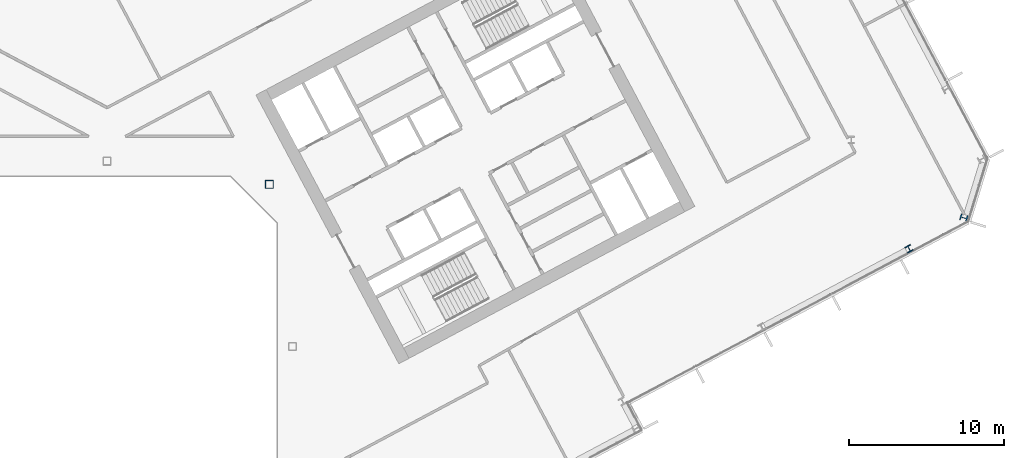
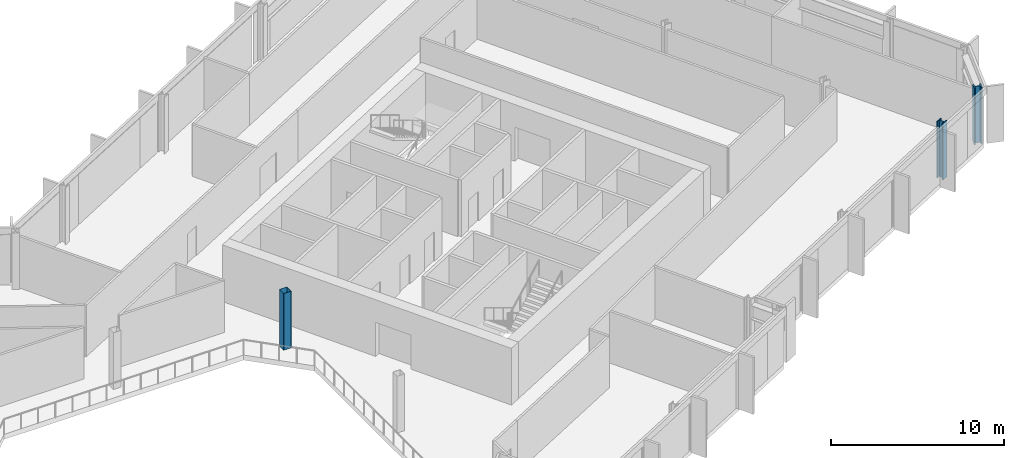
# One storey, part 6 of 28: 3 columns.
"""IFC4 building model written with IfcOpenShell, lengths in metres."""

import ifcopenshell
import ifcopenshell.guid

model = None  # the IFC model being written
_history = None  # IfcOwnerHistory: only IFC2X3 demands one
_inside = {}  # id of a spatial element -> (the spatial element, [elements in it])
_under = {}  # id of a project, library or spatial element -> (it, [spatial elements below it])
_declared = {}  # id of a project -> (the project, [libraries it declares])
_typed = {}  # id of a type object -> (the type object, [elements of that type])
_made_of = {}  # id of a material, layer set ... -> (it, [elements and type objects made of it])


def new_model(schema):
    """Start an empty IFC model of exactly this schema.

    Asked for "IFC4X3", IfcOpenShell would pick the latest addendum, in which some entities
    have other attributes; the version numbers below select the first issue.
    IFC2X3 requires an IfcOwnerHistory on every rooted entity: one is made here for all.
    """
    global model, _history
    if schema == "IFC4X3":
        model = ifcopenshell.file(schema_version=(4, 3, 0, 0))
    else:
        model = ifcopenshell.file(schema=schema)
    _inside.clear()
    _under.clear()
    _declared.clear()
    _typed.clear()
    _made_of.clear()
    _history = None
    if model.schema == "IFC2X3":
        org = make("IfcOrganization", Name="unknown")
        user = make(
            "IfcPersonAndOrganization",
            ThePerson=make("IfcPerson", FamilyName="unknown"),
            TheOrganization=org,
        )
        app = make(
            "IfcApplication",
            ApplicationDeveloper=org,
            Version="unknown",
            ApplicationFullName="unknown",
            ApplicationIdentifier="unknown",
        )
        _history = make(
            "IfcOwnerHistory",
            OwningUser=user,
            OwningApplication=app,
            ChangeAction="ADDED",
            CreationDate=0,
        )
    return model


def make(cls, **values):
    """One entity of the class cls with the attributes given. An attribute that is None is left unset."""
    return model.create_entity(
        cls, **{name: value for name, value in values.items() if value is not None}
    )


def rooted(cls, **values):
    """An entity with a GlobalId (a new one), such as an element, a storey or a relation."""
    return make(cls, GlobalId=ifcopenshell.guid.new(), OwnerHistory=_history, **values)


def si_unit(unit_type, name, prefix=None):
    """IfcSIUnit, for example si_unit("LENGTHUNIT", "METRE", prefix="MILLI")."""
    return make("IfcSIUnit", UnitType=unit_type, Prefix=prefix, Name=name)


def assignment(units):
    """IfcUnitAssignment: the units of a project."""
    return None if units is None else make("IfcUnitAssignment", Units=units)


def point(xyz):
    """IfcCartesianPoint."""
    return None if xyz is None else make("IfcCartesianPoint", Coordinates=xyz)


def direction(xyz):
    """IfcDirection."""
    return None if xyz is None else make("IfcDirection", DirectionRatios=xyz)


def frame(location, z_axis=None, x_axis=None):
    """IfcAxis2Placement3D, a coordinate frame: its origin and axes. An axis left out is left unset."""
    return make(
        "IfcAxis2Placement3D",
        Location=point(location),
        Axis=direction(z_axis),
        RefDirection=direction(x_axis),
    )


def frame_2d(location, x_axis=None):
    """IfcAxis2Placement2D, a coordinate frame in the plane: its origin and x axis."""
    return make(
        "IfcAxis2Placement2D", Location=point(location), RefDirection=direction(x_axis)
    )


def origin():
    """The frame at (0, 0, 0) with its axes left unset."""
    return frame((0.0, 0.0, 0.0))


def origin_2d():
    """The frame at (0, 0) in the plane with its x axis left unset."""
    return frame_2d((0.0, 0.0))


def place(relative_to, where):
    """IfcLocalPlacement: puts the frame where relative to a parent placement (None: the world)."""
    return make(
        "IfcLocalPlacement", PlacementRelTo=relative_to, RelativePlacement=where
    )


def context(
    kind, dimensions, precision=None, world=None, true_north=None, identifier=None
):
    """IfcGeometricRepresentationContext, for example the 3D "Model" context."""
    return make(
        "IfcGeometricRepresentationContext",
        ContextIdentifier=identifier,
        ContextType=kind,
        CoordinateSpaceDimension=dimensions,
        Precision=precision,
        WorldCoordinateSystem=world,
        TrueNorth=true_north,
    )


def subcontext(parent, identifier, kind, view, scale=None):
    """IfcGeometricRepresentationSubContext, for example "Body" below "Model"."""
    return make(
        "IfcGeometricRepresentationSubContext",
        ContextIdentifier=identifier,
        ContextType=kind,
        ParentContext=parent,
        TargetScale=scale,
        TargetView=view,
    )


def project(units=None, contexts=None):
    """IfcProject with its units and contexts."""
    return rooted(
        "IfcProject",
        Name="project",
        RepresentationContexts=contexts,
        UnitsInContext=assignment(units),
    )


def spatial(cls, under=None, at=None, **own):
    """A site, building, storey or space (cls), placed at a placement, below another one or the project."""
    s = rooted(cls, ObjectPlacement=at, **own)
    if under is not None:
        _under.setdefault(under.id(), (under, []))[1].append(s)
    return s


def profile(cls, at=None, kind="AREA", **sizes):
    """A parametric profile (cls). Its sizes go by their IFC names, for example OverallWidth=200.0."""
    return make(cls, ProfileType=kind, Position=at, **sizes)


def hollow_rectangle(**sizes):
    """IfcRectangleHollowProfileDef."""
    return profile("IfcRectangleHollowProfileDef", **sizes)


def i_section(**sizes):
    """IfcIShapeProfileDef."""
    return profile("IfcIShapeProfileDef", **sizes)


def extrude(swept, where, along, depth):
    """IfcExtrudedAreaSolid: the profile swept, set in the frame where, extruded along a direction by depth."""
    return make(
        "IfcExtrudedAreaSolid",
        SweptArea=swept,
        Position=where,
        ExtrudedDirection=direction(along),
        Depth=depth,
    )


def shape(context_of_items, identifier, shape_type, items):
    """IfcShapeRepresentation: the items that make up one representation, for example the "Body"."""
    return make(
        "IfcShapeRepresentation",
        ContextOfItems=context_of_items,
        RepresentationIdentifier=identifier,
        RepresentationType=shape_type,
        Items=items,
    )


def material(Name=None, Category=None):
    """IfcMaterial."""
    return make("IfcMaterial", Name=Name, Category=Category)


def material_profile(
    of_material, cross_section, Name=None, Category=None, Priority=None
):
    """IfcMaterialProfile: a cross section and its material."""
    return make(
        "IfcMaterialProfile",
        Name=Name,
        Material=of_material,
        Profile=cross_section,
        Priority=Priority,
        Category=Category,
    )


def profile_set(profiles, Name=None, composite=None):
    """IfcMaterialProfileSet."""
    return make(
        "IfcMaterialProfileSet",
        Name=Name,
        MaterialProfiles=profiles,
        CompositeProfile=composite,
    )


def made_of(thing, what):
    """Note that an element or type object is made of a material, layer set ...; save() writes the relation."""
    if what is not None:
        _made_of.setdefault(what.id(), (what, []))[1].append(thing)
    return thing


def type_object(cls, material=None, **own):
    """A type object (cls), such as IfcWallType, which elements share."""
    return made_of(rooted(cls, **own), material)


def element(
    cls,
    number,
    at=None,
    inside=None,
    cuts=None,
    type_object=None,
    material=None,
    context=None,
    identifier="Body",
    shape_type=None,
    held_by="IfcProductDefinitionShape",
    body=None,
    shapes=None,
    **own,
):
    """One element of the class cls, such as IfcWall. Its Tag is "e" and its number.

    at: its placement. inside: the storey or other place that contains it. cuts: it is an
    opening in that element (IfcRelVoidsElement). A single representation is given by context,
    identifier, shape_type and body (its items); several are given by shapes. held_by: the class
    of the entity that holds the representations. save() writes the other relations.
    """
    e = rooted(cls, Tag="e%d" % number, ObjectPlacement=at, **own)
    if body is not None:
        shapes = [shape(context, identifier, shape_type, body)]
    if shapes is not None:
        e.Representation = make(held_by, Representations=shapes)
    if inside is not None:
        _inside.setdefault(inside.id(), (inside, []))[1].append(e)
    if cuts is not None:
        rooted(
            "IfcRelVoidsElement", RelatingBuildingElement=cuts, RelatedOpeningElement=e
        )
    if type_object is not None:
        _typed.setdefault(type_object.id(), (type_object, []))[1].append(e)
    return made_of(e, material)


def aggregate(whole, parts):
    """IfcRelAggregates: a whole, such as a stair, and the parts it consists of."""
    return rooted("IfcRelAggregates", RelatingObject=whole, RelatedObjects=parts)


def save(model, path):
    """Write the relations noted so far, then the file.

    IfcRelAggregates (storeys below a building ...), IfcRelContainedInSpatialStructure (elements
    in a storey), IfcRelDefinesByType, IfcRelAssociatesMaterial and IfcRelDeclares: one each for
    every whole, place, type object, material and project.
    """
    for whole, parts in _under.values():
        aggregate(whole, parts)
    for where, things in _inside.values():
        rooted(
            "IfcRelContainedInSpatialStructure",
            RelatedElements=things,
            RelatingStructure=where,
        )
    for kind, things in _typed.values():
        rooted("IfcRelDefinesByType", RelatedObjects=things, RelatingType=kind)
    for what, things in _made_of.values():
        rooted("IfcRelAssociatesMaterial", RelatedObjects=things, RelatingMaterial=what)
    for by, libraries in _declared.values():
        rooted("IfcRelDeclares", RelatingContext=by, RelatedDefinitions=libraries)
    model.write(path)


model = new_model("IFC4")

# Units and contexts
model_context = context("Model", 3, precision=1e-05, world=origin(), true_north=direction((0.0, 1.0)))
body_context = subcontext(model_context, "Body", "Model", "MODEL_VIEW")
ifc_project = project(units=[si_unit("LENGTHUNIT", "METRE"), si_unit("AREAUNIT", "SQUARE_METRE"), si_unit("VOLUMEUNIT", "CUBIC_METRE"), si_unit("PLANEANGLEUNIT", "RADIAN"), si_unit("MASSUNIT", "GRAM", prefix="KILO")], contexts=[model_context])

# Site, building, storey
site_placement = place(None, origin())
site = spatial("IfcSite", under=ifc_project, at=site_placement, CompositionType="ELEMENT")
building_placement = place(site_placement, origin())
building = spatial("IfcBuilding", under=site, at=building_placement, Name="Cormorant Relay Tower", CompositionType="ELEMENT")
storey_placement = place(building_placement, frame((0.0, 0.0, 142.199951171875)))
storey = spatial("IfcBuildingStorey", under=building, at=storey_placement, Name="L29", CompositionType="ELEMENT", Elevation=142.199951171875)

# Columns
ifc_material_1 = material(Name="Steel ASTM A500 Grade C (Fy 345 MPa)", Category="steel")
ifc_material_profile_1 = material_profile(ifc_material_1, hollow_rectangle(XDim=0.508056640625, YDim=0.508056640625, WallThickness=0.01171875, InnerFilletRadius=0.005859375, OuterFilletRadius=0.017822265625, at=origin_2d()), Name="HSS508x508x12")
ifc_profile_set_1 = profile_set([ifc_material_profile_1], Name="Steel ASTM A500 Grade C (Fy 345 MPa)")
column_type_1 = type_object("IfcColumnType", Name="Column HSS508x508x12", PredefinedType="COLUMN", material=ifc_profile_set_1)
column_1_placement = place(storey_placement, frame((10.5, 10.5, 0.0), z_axis=(0.0, 0.0, 1.0), x_axis=(1.0, 0.0, 0.0)))
element("IfcColumn", 1, at=column_1_placement, inside=storey, type_object=column_type_1, Name="Column L29-024", PredefinedType="COLUMN", context=body_context, shape_type="SweptSolid", body=[
    extrude(hollow_rectangle(XDim=0.508056640625, YDim=0.508056640625, WallThickness=0.01171875, InnerFilletRadius=0.005859375, OuterFilletRadius=0.017822265625, at=origin_2d()), origin(), (0.0, 0.0, 1.0), 4.0),
])
ifc_material_2 = material(Name="Steel ASTM A992 (Fy 345 MPa)", Category="steel")
ifc_material_profile_2 = material_profile(ifc_material_2, i_section(OverallWidth=0.41162109375, OverallDepth=0.434326171875, WebThickness=0.035888671875, FlangeThickness=0.057373046875, FilletRadius=0.01513671875, at=origin_2d()), Name="W360x463")
ifc_profile_set_2 = profile_set([ifc_material_profile_2], Name="Steel ASTM A992 (Fy 345 MPa)")
column_type_2 = type_object("IfcColumnType", Name="Column W360x463", PredefinedType="COLUMN", material=ifc_profile_set_2)
column_2_placement = place(storey_placement, frame((51.905029296875, 6.327880859375, 0.0), z_axis=(0.0, 0.0, 1.0), x_axis=(0.882947592859, 0.469471562786, 0.0)))
element("IfcColumn", 2, at=column_2_placement, inside=storey, type_object=column_type_2, Name="Column L29-020", PredefinedType="COLUMN", context=body_context, shape_type="SweptSolid", body=[
    extrude(i_section(OverallWidth=0.41162109375, OverallDepth=0.434326171875, WebThickness=0.035888671875, FlangeThickness=0.057373046875, FilletRadius=0.01513671875, at=origin_2d()), origin(), (0.0, 0.0, 1.0), 4.0),
])
ifc_material_3 = material(Name="Steel ASTM A992 (Fy 345 MPa)", Category="steel")
ifc_material_profile_3 = material_profile(ifc_material_3, i_section(OverallWidth=0.42431640625, OverallDepth=0.47509765625, WebThickness=0.0478515625, FlangeThickness=0.0771484375, FilletRadius=0.014892578125, at=origin_2d()), Name="W360x634")
ifc_profile_set_3 = profile_set([ifc_material_profile_3], Name="Steel ASTM A992 (Fy 345 MPa)")
column_type_3 = type_object("IfcColumnType", Name="Column W360x634", PredefinedType="COLUMN", material=ifc_profile_set_3)
column_3_placement = place(storey_placement, frame((55.446044921875, 8.3291015625, 0.0), z_axis=(0.0, 0.0, 1.0), x_axis=(0.292371704723, 0.956304755963, 0.0)))
element("IfcColumn", 3, at=column_3_placement, inside=storey, type_object=column_type_3, Name="Column L29-021", PredefinedType="COLUMN", context=body_context, shape_type="SweptSolid", body=[
    extrude(i_section(OverallWidth=0.42431640625, OverallDepth=0.47509765625, WebThickness=0.0478515625, FlangeThickness=0.0771484375, FilletRadius=0.014892578125, at=origin_2d()), origin(), (0.0, 0.0, 1.0), 4.0),
])

save(model, "model.ifc")
